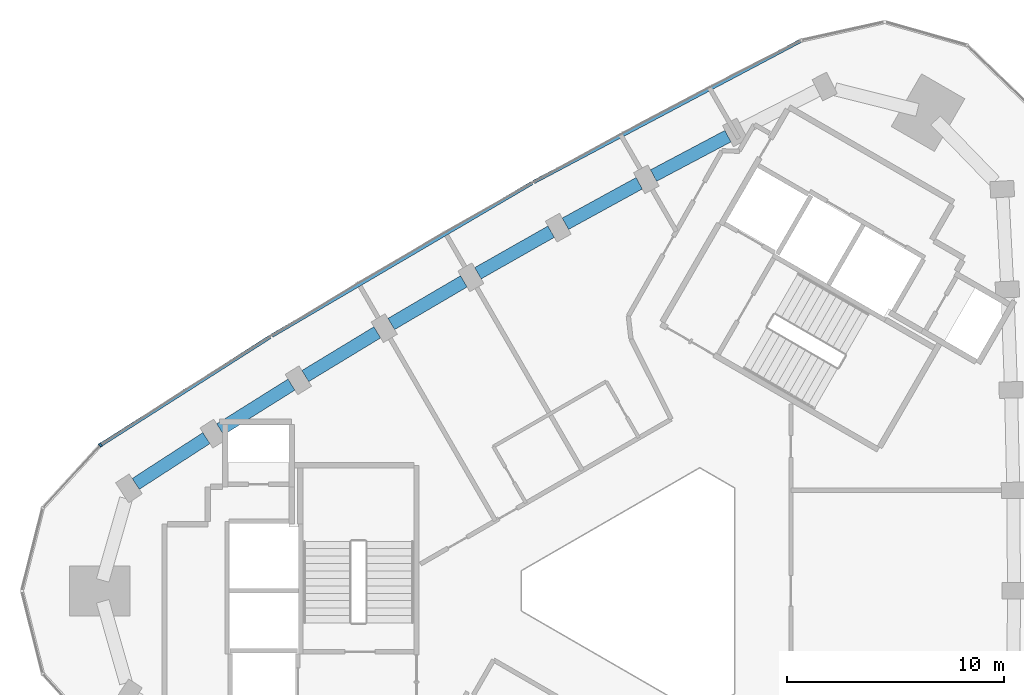
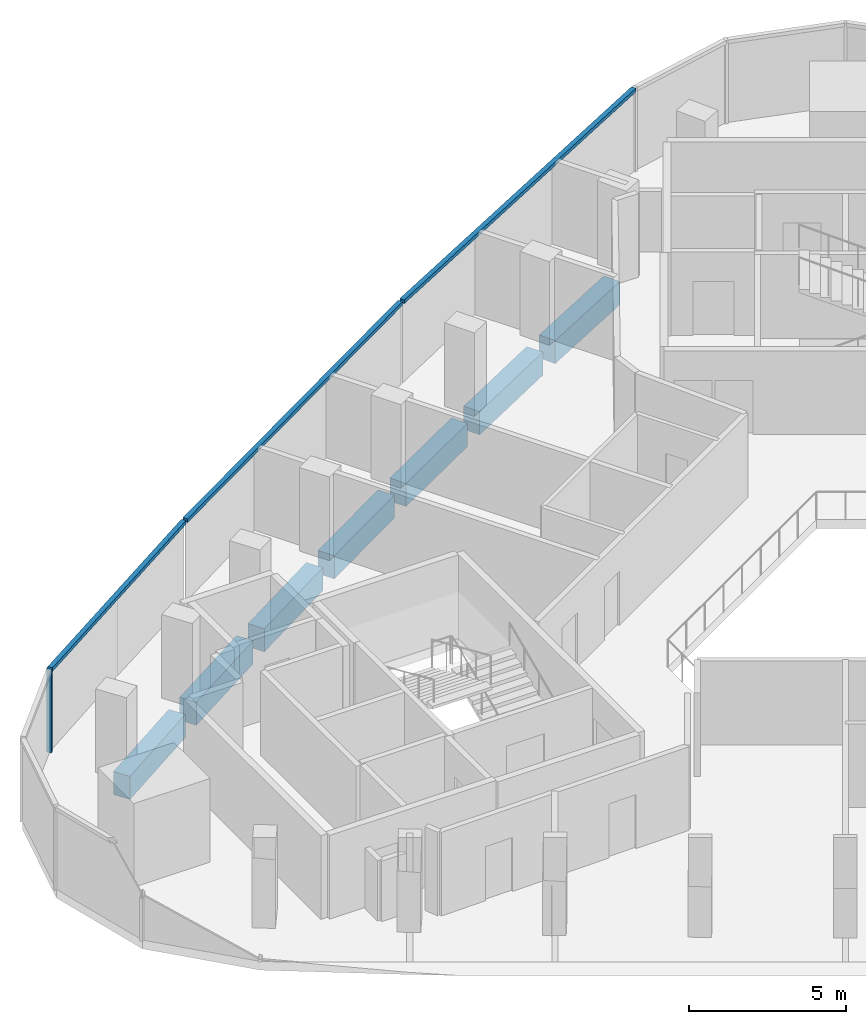
# One storey, part 4 of 11: 7 beams, 4 members, 1 element without a shape of its own.
"""IFC4 building model written with IfcOpenShell, lengths in metres."""

from ifc_helpers import new_model, si_unit, direction, frame, origin, origin_2d, place, context, subcontext, project, spatial, rectangle, extrude, material, material_profile, profile_set, type_object, element, aggregate, save


model = new_model("IFC4")

# Units and contexts
model_context = context("Model", 3, precision=1e-05, world=origin(), true_north=direction((0.0, 1.0)))
body_context = subcontext(model_context, "Body", "Model", "MODEL_VIEW")
ifc_project = project(units=[si_unit("LENGTHUNIT", "METRE"), si_unit("AREAUNIT", "SQUARE_METRE"), si_unit("VOLUMEUNIT", "CUBIC_METRE"), si_unit("PLANEANGLEUNIT", "RADIAN"), si_unit("MASSUNIT", "GRAM", prefix="KILO")], contexts=[model_context])

# Site, building, storey
site_placement = place(None, origin())
site = spatial("IfcSite", under=ifc_project, at=site_placement, CompositionType="ELEMENT")
building_placement = place(site_placement, origin())
building = spatial("IfcBuilding", under=site, at=building_placement, Name="Tamra Quay Hotel Tower", CompositionType="ELEMENT")
storey_placement = place(building_placement, frame((0.0, 0.0, 246.60009765625)))
storey = spatial("IfcBuildingStorey", under=building, at=storey_placement, Name="L62", CompositionType="ELEMENT", Elevation=246.60009765625)

# Curtain wall, member
ifc_material_1 = material(Name="Aluminium 6063 anodised dark grey", Category="aluminium")
curtain_wall_type = type_object("IfcCurtainWallType", Name="CW2 CURTAIN WALL", PredefinedType="NOTDEFINED", material=ifc_material_1)
curtain_wall_placement = place(storey_placement, origin())
curtain_wall = element("IfcCurtainWall", 1, at=curtain_wall_placement, inside=storey, type_object=curtain_wall_type, Name="CW2 north-west face L62", PredefinedType="NOTDEFINED")
ifc_material_profile_1 = material_profile(ifc_material_1, rectangle(XDim=0.169921875, YDim=0.10009765625, at=origin_2d()), Name="MULLION 100X170")
ifc_profile_set_1 = profile_set([ifc_material_profile_1], Name="Aluminium 6063 anodised dark grey")
member_type_1 = type_object("IfcMemberType", Name="MULLION CW2 Z5", PredefinedType="MULLION", material=ifc_profile_set_1)
member_1_placement = place(storey_placement, frame((-25.387939453125, 6.712646484375, 0.0), z_axis=(0.0, 0.0, 1.0), x_axis=(-0.64584626761, 0.763467483665, 0.0)))
member_1 = element("IfcMember", 2, at=member_1_placement, type_object=member_type_1, Name="CW2 mullion L62.NW.9", PredefinedType="MULLION", context=body_context, shape_type="SweptSolid", body=[
    extrude(rectangle(XDim=0.169921875, YDim=0.10009765625, at=origin_2d()), origin(), (0.0, 0.0, 1.0), 3.25),
])

# Beams
ifc_material_2 = material(Name="Concrete M60", Category="concrete")
ifc_material_profile_2 = material_profile(ifc_material_2, rectangle(XDim=0.60009765625, YDim=0.89990234375, at=origin_2d()), Name="SPANDREL BEAM RC 600x900")
ifc_profile_set_2 = profile_set([ifc_material_profile_2], Name="Concrete M60")
beam_type = type_object("IfcBeamType", Name="SPANDREL BEAM RC 600x900", PredefinedType="SPANDREL", material=ifc_profile_set_2)
beam_1_placement = place(storey_placement, frame((3.5, 20.931396484375, -0.800048828125), z_axis=(-0.883803240878, -0.467858772937, 0.0), x_axis=(0.467858772937, -0.883803240878, 0.0)))
element("IfcBeam", 3, at=beam_1_placement, inside=storey, type_object=beam_type, Name="BM-SP5-011-L62", PredefinedType="SPANDREL", context=body_context, shape_type="SweptSolid", body=[
    extrude(rectangle(XDim=0.60009765625, YDim=0.89990234375, at=origin_2d()), origin(), (0.0, 0.0, 1.0), 3.875),
])
beam_2_placement = place(storey_placement, frame((-0.585205078125, 18.7626953125, -0.800048828125), z_axis=(-0.876838966376, -0.480784179279, 0.0), x_axis=(0.480784179279, -0.876838966376, 0.0)))
element("IfcBeam", 4, at=beam_2_placement, inside=storey, type_object=beam_type, Name="BM-SP5-012-L62", PredefinedType="SPANDREL", context=body_context, shape_type="SweptSolid", body=[
    extrude(rectangle(XDim=0.60009765625, YDim=0.89990234375, at=origin_2d()), origin(), (0.0, 0.0, 1.0), 3.87548828125),
])
beam_3_placement = place(storey_placement, frame((-4.638427734375, 16.533935546875, -0.800048828125), z_axis=(-0.86967787455, -0.493619686113, 0.0), x_axis=(0.493619686113, -0.86967787455, 0.0)))
element("IfcBeam", 5, at=beam_3_placement, inside=storey, type_object=beam_type, Name="BM-SP5-013-L62", PredefinedType="SPANDREL", context=body_context, shape_type="SweptSolid", body=[
    extrude(rectangle(XDim=0.60009765625, YDim=0.89990234375, at=origin_2d()), origin(), (0.0, 0.0, 1.0), 3.875244140625),
])
beam_4_placement = place(storey_placement, frame((-8.658203125, 14.24609375, -0.800048828125), z_axis=(-0.862324287816, -0.506356418585, 0.0), x_axis=(0.506356418585, -0.862324287816, 0.0)))
element("IfcBeam", 6, at=beam_4_placement, inside=storey, type_object=beam_type, Name="BM-SP5-014-L62", PredefinedType="SPANDREL", context=body_context, shape_type="SweptSolid", body=[
    extrude(rectangle(XDim=0.60009765625, YDim=0.89990234375, at=origin_2d()), origin(), (0.0, 0.0, 1.0), 3.875),
])
beam_5_placement = place(storey_placement, frame((-12.6435546875, 11.8994140625, -0.800048828125), z_axis=(-0.854785519234, -0.518981421737, 0.0), x_axis=(0.518981421737, -0.854785519234, 0.0)))
element("IfcBeam", 7, at=beam_5_placement, inside=storey, type_object=beam_type, Name="BM-SP5-015-L62", PredefinedType="SPANDREL", context=body_context, shape_type="SweptSolid", body=[
    extrude(rectangle(XDim=0.60009765625, YDim=0.89990234375, at=origin_2d()), origin(), (0.0, 0.0, 1.0), 3.875732421875),
])
beam_6_placement = place(storey_placement, frame((-16.5947265625, 9.494140625, -0.800048828125), z_axis=(-0.847066119134, -0.53148752555, 0.0), x_axis=(0.53148752555, -0.847066119134, 0.0)))
element("IfcBeam", 8, at=beam_6_placement, inside=storey, type_object=beam_type, Name="BM-SP5-016-L62", PredefinedType="SPANDREL", context=body_context, shape_type="SweptSolid", body=[
    extrude(rectangle(XDim=0.60009765625, YDim=0.89990234375, at=origin_2d()), origin(), (0.0, 0.0, 1.0), 3.875),
])
beam_7_placement = place(storey_placement, frame((-20.509521484375, 7.03125, -0.800048828125), z_axis=(-0.839181205466, -0.543851914029, 0.0), x_axis=(0.543851914029, -0.839181205466, 0.0)))
element("IfcBeam", 9, at=beam_7_placement, inside=storey, type_object=beam_type, Name="BM-SP5-017-L62", PredefinedType="SPANDREL", context=body_context, shape_type="SweptSolid", body=[
    extrude(rectangle(XDim=0.60009765625, YDim=0.89990234375, at=origin_2d()), origin(), (0.0, 0.0, 1.0), 3.87548828125),
])

# Member
ifc_material_profile_3 = material_profile(ifc_material_1, rectangle(XDim=0.169921875, YDim=0.139892578125, at=origin_2d()), Name="TRANSOM 170X140")
ifc_profile_set_3 = profile_set([ifc_material_profile_3], Name="Aluminium 6063 anodised dark grey")
member_type_2 = type_object("IfcMemberType", Name="TRANSOM CW2 Z5", PredefinedType="USERDEFINED", material=ifc_profile_set_3)
member_2_placement = place(storey_placement, frame((6.836181640625, 25.320068359375, 3.179931640625), z_axis=(-0.883811448784, -0.467843267557, 0.0), x_axis=(0.467843267557, -0.883811448784, 0.0)))
member_2 = element("IfcMember", 10, at=member_2_placement, type_object=member_type_2, Name="CW2 transom L62.NW.1", ObjectType="TRANSOM", PredefinedType="USERDEFINED", context=body_context, shape_type="SweptSolid", body=[
    extrude(rectangle(XDim=0.169921875, YDim=0.139892578125, at=origin_2d()), origin(), (0.0, 0.0, 1.0), 13.87890625),
])

member_3_placement = place(storey_placement, frame((-5.517578125, 18.7783203125, 3.179931640625), z_axis=(-0.862320117971, -0.506363519758, 0.0), x_axis=(0.506363519758, -0.862320117971, 0.0)))
member_3 = element("IfcMember", 11, at=member_3_placement, type_object=member_type_2, Name="CW2 transom L62.NW.4", ObjectType="TRANSOM", PredefinedType="USERDEFINED", context=body_context, shape_type="SweptSolid", body=[
    extrude(rectangle(XDim=0.169921875, YDim=0.139892578125, at=origin_2d()), origin(), (0.0, 0.0, 1.0), 13.8798828125),
])

member_4_placement = place(storey_placement, frame((-17.57177734375, 11.697509765625, 3.179931640625), z_axis=(-0.843142122818, -0.537690766827, 0.0), x_axis=(0.537690766827, -0.843142122818, 0.0)))
member_4 = element("IfcMember", 12, at=member_4_placement, type_object=member_type_2, Name="CW2 transom L62.NW.7", ObjectType="TRANSOM", PredefinedType="USERDEFINED", context=body_context, shape_type="SweptSolid", body=[
    extrude(rectangle(XDim=0.169921875, YDim=0.139892578125, at=origin_2d()), origin(), (0.0, 0.0, 1.0), 9.220458984375),
])

aggregate(curtain_wall, [member_2, member_3, member_4, member_1])

save(model, "model.ifc")
